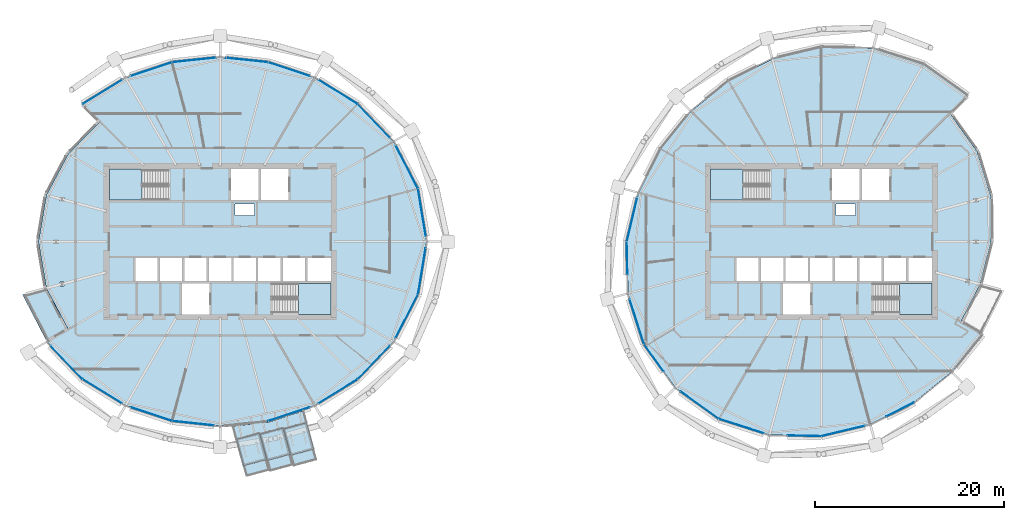
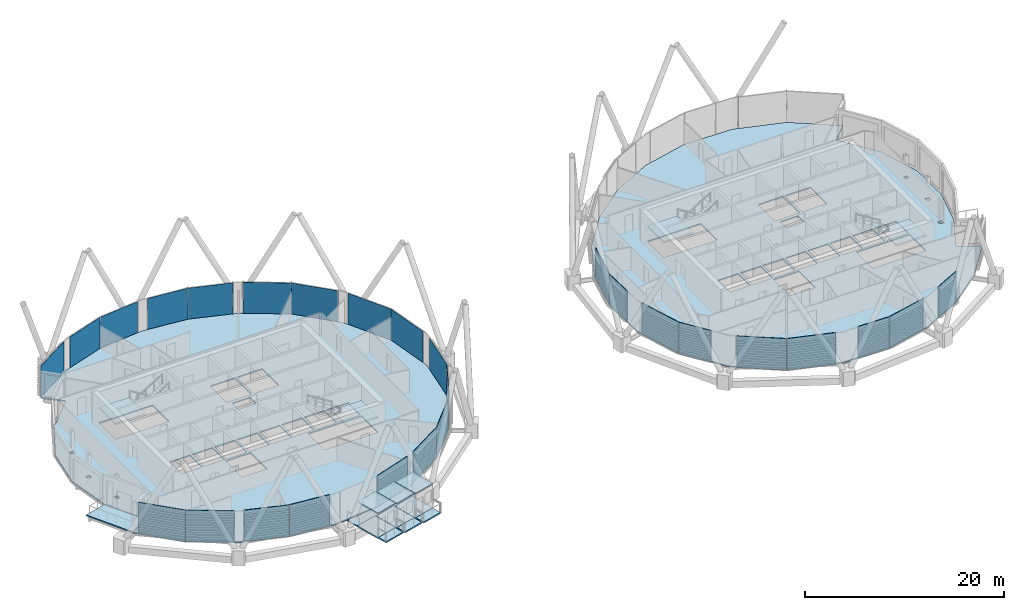
# One storey, part 20 of 35: 27 plates, 17 slabs, 6 elements without a shape of their own.
"""IFC4 building model written with IfcOpenShell, lengths in metres."""

from ifc_helpers import new_model, si_unit, direction, frame, origin, origin_2d, place, context, subcontext, project, spatial, polyline, rectangle, outline, extrude, material, layer, layer_set, type_object, element, aggregate, save


model = new_model("IFC4")

# Units and contexts
model_context = context("Model", 3, precision=1e-05, world=origin(), true_north=direction((0.0, 1.0)))
body_context = subcontext(model_context, "Body", "Model", "MODEL_VIEW")
ifc_project = project(units=[si_unit("LENGTHUNIT", "METRE"), si_unit("AREAUNIT", "SQUARE_METRE"), si_unit("VOLUMEUNIT", "CUBIC_METRE"), si_unit("PLANEANGLEUNIT", "RADIAN"), si_unit("MASSUNIT", "GRAM", prefix="KILO")], contexts=[model_context])

# Site, building, storey
site_placement = place(None, origin())
site = spatial("IfcSite", under=ifc_project, at=site_placement, CompositionType="ELEMENT")
building_placement = place(site_placement, origin())
building = spatial("IfcBuilding", under=site, at=building_placement, Name="Rimbun Link Towers", CompositionType="ELEMENT")
storey_placement = place(building_placement, frame((0.0, 0.0, 181.699951171875)))
storey = spatial("IfcBuildingStorey", under=building, at=storey_placement, Name="L44", CompositionType="ELEMENT", Elevation=181.699951171875)

# Slabs
ifc_material_1 = material(Name="Insulated metal floor panel on steel frame", Category="steel")
ifc_layer_1 = layer(ifc_material_1, 0.159912109375)
ifc_layer_set_1 = layer_set([ifc_layer_1], Name="CAPSULE balcony panel 160")
slab_type_1 = type_object("IfcSlabType", Name="CAPSULE balcony panel 160", PredefinedType="FLOOR", material=ifc_layer_set_1)
slab_1_placement = place(storey_placement, frame((0.0, 0.0, -0.159912109375)))
element("IfcSlab", 1, at=slab_1_placement, inside=storey, type_object=slab_type_1, Name="CAPSULE D441.01 balcony floor", PredefinedType="FLOOR", context=body_context, shape_type="SweptSolid", body=[
    extrude(outline(polyline([(-23.945068359375, -23.62255859375), (-21.62890625, -22.994140625), (-21.9169921875, -21.9326171875), (-24.233154296875, -22.56103515625), (-23.945068359375, -23.62255859375)])), origin(), (0.0, 0.0, 1.0), 0.159912109375),
])
slab_2_placement = place(storey_placement, frame((0.0, 0.0, -0.159912109375)))
element("IfcSlab", 2, at=slab_2_placement, inside=storey, type_object=slab_type_1, Name="CAPSULE D441.02 balcony floor", PredefinedType="FLOOR", context=body_context, shape_type="SweptSolid", body=[
    extrude(outline(polyline([(-26.4345703125, -24.1748046875), (-24.118408203125, -23.54638671875), (-24.406494140625, -22.48486328125), (-26.72265625, -23.11328125), (-26.4345703125, -24.1748046875)])), origin(), (0.0, 0.0, 1.0), 0.159912109375),
])
slab_3_placement = place(storey_placement, frame((0.0, 0.0, -0.159912109375)))
element("IfcSlab", 3, at=slab_3_placement, inside=storey, type_object=slab_type_1, Name="CAPSULE D441.03 balcony floor", PredefinedType="FLOOR", context=body_context, shape_type="SweptSolid", body=[
    extrude(outline(polyline([(-28.924072265625, -24.72705078125), (-26.60791015625, -24.0986328125), (-26.89599609375, -23.036865234375), (-29.212158203125, -23.665283203125), (-28.924072265625, -24.72705078125)])), origin(), (0.0, 0.0, 1.0), 0.159912109375),
])
slab_4_placement = place(storey_placement, frame((0.0, 0.0, -0.159912109375)))
element("IfcSlab", 4, at=slab_4_placement, inside=storey, type_object=slab_type_1, Name="CAPSULE D441 gallery floor", PredefinedType="FLOOR", context=body_context, shape_type="SweptSolid", body=[
    extrude(outline(polyline([(-27.073974609375, -19.12353515625), (-27.079345703125, -19.07373046875), (-28.51123046875, -19.224609375), (-28.506103515625, -19.2744140625), (-30.401123046875, -19.473876953125), (-29.95751953125, -21.109130859375), (-30.019775390625, -20.879638671875), (-27.60693359375, -20.22509765625), (-27.544677734375, -20.45458984375), (-27.4990234375, -20.4423828125), (-27.5302734375, -20.327392578125), (-25.117431640625, -19.6728515625), (-25.08642578125, -19.78759765625), (-22.6279296875, -19.12060546875), (-22.969970703125, -17.8603515625), (-26.645751953125, -19.078369140625), (-27.073974609375, -19.12353515625)])), origin(), (0.0, 0.0, 1.0), 0.159912109375),
])
ifc_material_2 = material(Name="Insulated metal floor panel on steel frame", Category="steel")
ifc_layer_2 = layer(ifc_material_2, 0.159912109375)
ifc_layer_set_2 = layer_set([ifc_layer_2], Name="CAPSULE floor panel 160")
slab_type_2 = type_object("IfcSlabType", Name="CAPSULE floor panel 160", PredefinedType="FLOOR", material=ifc_layer_set_2)
slab_5_placement = place(storey_placement, frame((0.0, 0.0, -0.159912109375)))
element("IfcSlab", 5, at=slab_5_placement, inside=storey, type_object=slab_type_2, Name="CAPSULE D441.01 floor panel", PredefinedType="FLOOR", context=body_context, shape_type="SweptSolid", body=[
    extrude(outline(polyline([(-24.281494140625, -22.57421875), (-21.86865234375, -21.91943359375), (-22.6279296875, -19.12060546875), (-25.040771484375, -19.775390625), (-24.281494140625, -22.57421875)])), origin(), (0.0, 0.0, 1.0), 0.159912109375),
])
slab_6_placement = place(storey_placement, frame((0.0, 0.0, -0.159912109375)))
element("IfcSlab", 6, at=slab_6_placement, inside=storey, type_object=slab_type_2, Name="CAPSULE D441.02 floor panel", PredefinedType="FLOOR", context=body_context, shape_type="SweptSolid", body=[
    extrude(outline(polyline([(-26.77099609375, -23.126220703125), (-24.358154296875, -22.4716796875), (-25.117431640625, -19.6728515625), (-27.5302734375, -20.327392578125), (-26.77099609375, -23.126220703125)])), origin(), (0.0, 0.0, 1.0), 0.159912109375),
])
slab_7_placement = place(storey_placement, frame((0.0, 0.0, -0.159912109375)))
element("IfcSlab", 7, at=slab_7_placement, inside=storey, type_object=slab_type_2, Name="CAPSULE D441.03 floor panel", PredefinedType="FLOOR", context=body_context, shape_type="SweptSolid", body=[
    extrude(outline(polyline([(-29.260498046875, -23.678466796875), (-26.84765625, -23.023681640625), (-27.60693359375, -20.22509765625), (-30.019775390625, -20.879638671875), (-29.260498046875, -23.678466796875)])), origin(), (0.0, 0.0, 1.0), 0.159912109375),
])
ifc_material_3 = material(Name="Insulated metal roof panel with terracotta fascia", Category="masonry")
ifc_layer_3 = layer(ifc_material_3, 0.14990234375)
ifc_layer_set_3 = layer_set([ifc_layer_3], Name="CAPSULE roof panel 150")
slab_type_3 = type_object("IfcSlabType", Name="CAPSULE roof panel 150", PredefinedType="ROOF", material=ifc_layer_set_3)
slab_8_placement = place(storey_placement, frame((0.0, 0.0, 2.85009765625)))
element("IfcSlab", 8, at=slab_8_placement, inside=storey, type_object=slab_type_3, Name="CAPSULE D441.01 roof panel", PredefinedType="ROOF", context=body_context, shape_type="SweptSolid", body=[
    extrude(outline(polyline([(-24.281494140625, -22.57421875), (-21.86865234375, -21.91943359375), (-22.6279296875, -19.12060546875), (-25.040771484375, -19.775390625), (-24.281494140625, -22.57421875)])), origin(), (0.0, 0.0, 1.0), 0.14990234375),
])
slab_9_placement = place(storey_placement, frame((0.0, 0.0, 2.85009765625)))
element("IfcSlab", 9, at=slab_9_placement, inside=storey, type_object=slab_type_3, Name="CAPSULE D441.02 roof panel", PredefinedType="ROOF", context=body_context, shape_type="SweptSolid", body=[
    extrude(outline(polyline([(-26.77099609375, -23.126220703125), (-24.358154296875, -22.4716796875), (-25.117431640625, -19.6728515625), (-27.5302734375, -20.327392578125), (-26.77099609375, -23.126220703125)])), origin(), (0.0, 0.0, 1.0), 0.14990234375),
])
slab_10_placement = place(storey_placement, frame((0.0, 0.0, 2.85009765625)))
element("IfcSlab", 10, at=slab_10_placement, inside=storey, type_object=slab_type_3, Name="CAPSULE D441.03 roof panel", PredefinedType="ROOF", context=body_context, shape_type="SweptSolid", body=[
    extrude(outline(polyline([(-29.260498046875, -23.678466796875), (-26.84765625, -23.023681640625), (-27.60693359375, -20.22509765625), (-30.019775390625, -20.879638671875), (-29.260498046875, -23.678466796875)])), origin(), (0.0, 0.0, 1.0), 0.14990234375),
])
ifc_material_4 = material(Name="Concrete C35/45", Category="concrete")
ifc_layer_4 = layer(ifc_material_4, 0.14990234375)
ifc_layer_set_4 = layer_set([ifc_layer_4], Name="COMPOSITE FLOOR 150")
slab_type_4 = type_object("IfcSlabType", Name="COMPOSITE FLOOR 150", PredefinedType="FLOOR", material=ifc_layer_set_4)
slab_11_placement = place(storey_placement, frame((0.0, 0.0, -0.14990234375)))
element("IfcSlab", 11, at=slab_11_placement, inside=storey, type_object=slab_type_4, Name="Floor slab T1 L44", PredefinedType="FLOOR", context=body_context, shape_type="SweptSolid", body=[
    extrude(outline(polyline([(-41.739013671875, 17.301513671875), (-36.822509765625, 18.930908203125), (-31.75, 19.465087890625), (-26.677490234375, 18.930908203125), (-21.760986328125, 17.301513671875), (-17.230224609375, 14.519775390625), (-13.443115234375, 10.569580078125), (-10.868896484375, 5.594970703125), (-9.948974609375, 0.0), (-10.868896484375, -5.594970703125), (-13.443115234375, -10.569580078125), (-17.230224609375, -14.519775390625), (-21.760986328125, -17.301513671875), (-26.677490234375, -18.930908203125), (-31.75, -19.465087890625), (-36.822509765625, -18.930908203125), (-41.739013671875, -17.301513671875), (-46.269775390625, -14.519775390625), (-50.056884765625, -10.569580078125), (-47.805419921875, -9.26953125), (-50.11962890625, -4.922119140625), (-50.950927734375, 0.0), (-50.11962890625, 4.922119140625), (-47.805419921875, 9.26953125), (-44.431396484375, 12.681396484375), (-46.269775390625, 14.519775390625), (-41.739013671875, 17.301513671875)]), holes=[polyline([(-32.89990234375, -7.699951171875), (-32.89990234375, -4.39990234375), (-35.800048828125, -4.39990234375), (-35.800048828125, -7.699951171875), (-32.89990234375, -7.699951171875)]), polyline([(-48.250732421875, -4.671630859375), (-48.250732421875, -4.278076171875), (-48.64990234375, -4.278076171875), (-48.64990234375, -4.671630859375), (-48.250732421875, -4.671630859375)]), polyline([(-38.361083984375, -4.14990234375), (-38.361083984375, -1.75), (-40.70556640625, -1.75), (-40.70556640625, -4.14990234375), (-38.361083984375, -4.14990234375)]), polyline([(-35.7666015625, -4.14990234375), (-35.7666015625, -1.75), (-38.111083984375, -1.75), (-38.111083984375, -4.14990234375), (-35.7666015625, -4.14990234375)]), polyline([(-33.172119140625, -4.14990234375), (-33.172119140625, -1.75), (-35.5166015625, -1.75), (-35.5166015625, -4.14990234375), (-33.172119140625, -4.14990234375)]), polyline([(-30.577880859375, -4.14990234375), (-30.577880859375, -1.75), (-32.922119140625, -1.75), (-32.922119140625, -4.14990234375), (-30.577880859375, -4.14990234375)]), polyline([(-48.896728515625, -0.19677734375), (-48.896728515625, 0.19677734375), (-49.295654296875, 0.19677734375), (-49.295654296875, -0.19677734375), (-48.896728515625, -0.19677734375)]), polyline([(-48.250732421875, 4.278076171875), (-48.250732421875, 4.671630859375), (-48.64990234375, 4.671630859375), (-48.64990234375, 4.278076171875), (-48.250732421875, 4.278076171875)]), polyline([(-37.260009765625, 4.39990234375), (-37.260009765625, 7.699951171875), (-43.449951171875, 7.699951171875), (-43.449951171875, 4.39990234375), (-37.260009765625, 4.39990234375)]), polyline([(-20.050048828125, -7.699951171875), (-20.050048828125, -4.39990234375), (-26.239990234375, -4.39990234375), (-26.239990234375, -7.699951171875), (-20.050048828125, -7.699951171875)]), polyline([(-27.9833984375, -4.14990234375), (-27.9833984375, -1.75), (-30.327880859375, -1.75), (-30.327880859375, -4.14990234375), (-27.9833984375, -4.14990234375)]), polyline([(-25.388916015625, -4.14990234375), (-25.388916015625, -1.75), (-27.7333984375, -1.75), (-27.7333984375, -4.14990234375), (-25.388916015625, -4.14990234375)]), polyline([(-22.79443359375, -4.14990234375), (-22.79443359375, -1.75), (-25.138916015625, -1.75), (-25.138916015625, -4.14990234375), (-22.79443359375, -4.14990234375)]), polyline([(-20.050048828125, -4.14990234375), (-20.050048828125, -1.75), (-22.54443359375, -1.75), (-22.54443359375, -4.14990234375), (-20.050048828125, -4.14990234375)]), polyline([(-30.177734375, 2.75), (-28.13330078125, 2.75), (-28.13330078125, 4.0), (-30.177734375, 4.0), (-30.177734375, 2.75)]), polyline([(-30.60009765625, 4.39990234375), (-27.699951171875, 4.39990234375), (-27.699951171875, 7.699951171875), (-30.60009765625, 7.699951171875), (-30.60009765625, 4.39990234375)]), polyline([(-27.449951171875, 4.39990234375), (-24.550048828125, 4.39990234375), (-24.550048828125, 7.699951171875), (-27.449951171875, 7.699951171875), (-27.449951171875, 4.39990234375)])]), origin(), (0.0, 0.0, 1.0), 0.14990234375),
])
slab_12_placement = place(storey_placement, frame((0.0, 0.0, -0.14990234375)))
element("IfcSlab", 12, at=slab_12_placement, inside=storey, type_object=slab_type_4, Name="Floor slab T2 L44", PredefinedType="FLOOR", context=body_context, shape_type="SweptSolid", body=[
    extrude(outline(polyline([(45.513916015625, -13.763916015625), (41.54931640625, -16.972900390625), (36.920654296875, -19.297607421875), (31.75, -20.5341796875), (26.27880859375, -20.418701171875), (20.941162109375, -18.721435546875), (16.33447265625, -15.41552734375), (13.028564453125, -10.808837890625), (11.331298828125, -5.47119140625), (11.2158203125, 0.0), (12.452392578125, 5.170654296875), (14.777099609375, 9.79931640625), (17.986083984375, 13.763916015625), (21.95068359375, 16.972900390625), (26.579345703125, 19.297607421875), (31.75, 20.5341796875), (37.22119140625, 20.418701171875), (42.558837890625, 18.721435546875), (47.16552734375, 15.41552734375), (45.3271484375, 13.5771484375), (48.2197265625, 9.5087890625), (49.657470703125, 4.79833984375), (49.68408203125, 0.0), (48.5361328125, -4.497802734375), (46.471435546875, -8.49951171875), (48.722900390625, -9.79931640625), (45.513916015625, -13.763916015625)]), holes=[polyline([(30.60009765625, -7.699951171875), (30.60009765625, -4.39990234375), (27.699951171875, -4.39990234375), (27.699951171875, -7.699951171875), (30.60009765625, -7.699951171875)]), polyline([(25.138916015625, -4.14990234375), (25.138916015625, -1.75), (22.79443359375, -1.75), (22.79443359375, -4.14990234375), (25.138916015625, -4.14990234375)]), polyline([(27.7333984375, -4.14990234375), (27.7333984375, -1.75), (25.388916015625, -1.75), (25.388916015625, -4.14990234375), (27.7333984375, -4.14990234375)]), polyline([(30.327880859375, -4.14990234375), (30.327880859375, -1.75), (27.9833984375, -1.75), (27.9833984375, -4.14990234375), (30.327880859375, -4.14990234375)]), polyline([(32.922119140625, -4.14990234375), (32.922119140625, -1.75), (30.577880859375, -1.75), (30.577880859375, -4.14990234375), (32.922119140625, -4.14990234375)]), polyline([(35.5166015625, -4.14990234375), (35.5166015625, -1.75), (33.172119140625, -1.75), (33.172119140625, -4.14990234375), (35.5166015625, -4.14990234375)]), polyline([(33.322265625, 2.75), (35.36669921875, 2.75), (35.36669921875, 4.0), (33.322265625, 4.0), (33.322265625, 2.75)]), polyline([(26.239990234375, 4.39990234375), (26.239990234375, 7.699951171875), (20.050048828125, 7.699951171875), (20.050048828125, 4.39990234375), (26.239990234375, 4.39990234375)]), polyline([(35.800048828125, 4.39990234375), (35.800048828125, 7.699951171875), (32.89990234375, 7.699951171875), (32.89990234375, 4.39990234375), (35.800048828125, 4.39990234375)]), polyline([(43.449951171875, -7.699951171875), (43.449951171875, -4.39990234375), (37.260009765625, -4.39990234375), (37.260009765625, -7.699951171875), (43.449951171875, -7.699951171875)]), polyline([(47.38330078125, -4.332275390625), (47.38330078125, -3.938720703125), (46.984375, -3.938720703125), (46.984375, -4.332275390625), (47.38330078125, -4.332275390625)]), polyline([(38.111083984375, -4.14990234375), (38.111083984375, -1.75), (35.7666015625, -1.75), (35.7666015625, -4.14990234375), (38.111083984375, -4.14990234375)]), polyline([(40.70556640625, -4.14990234375), (40.70556640625, -1.75), (38.361083984375, -1.75), (38.361083984375, -4.14990234375), (40.70556640625, -4.14990234375)]), polyline([(43.449951171875, -4.14990234375), (43.449951171875, -1.75), (40.95556640625, -1.75), (40.95556640625, -4.14990234375), (43.449951171875, -4.14990234375)]), polyline([(48.278076171875, -0.19677734375), (48.278076171875, 0.19677734375), (47.879150390625, 0.19677734375), (47.879150390625, -0.19677734375), (48.278076171875, -0.19677734375)]), polyline([(47.87939453125, 4.178466796875), (48.2783203125, 4.178466796875), (48.2783203125, 4.572021484375), (47.87939453125, 4.572021484375), (47.87939453125, 4.178466796875)]), polyline([(36.050048828125, 4.39990234375), (38.949951171875, 4.39990234375), (38.949951171875, 7.699951171875), (36.050048828125, 7.699951171875), (36.050048828125, 4.39990234375)])]), origin(), (0.0, 0.0, 1.0), 0.14990234375),
])

# Curtain wall, plates
ifc_material_5 = material(Name="Aluminium 6063-T6 and low-iron glass", Category="aluminium")
curtain_wall_type = type_object("IfcCurtainWallType", Name="CW1-Z3 unitised vision wall (zone 3)", PredefinedType="NOTDEFINED", material=ifc_material_5)
curtain_wall_1_placement = place(storey_placement, origin())
curtain_wall_1 = element("IfcCurtainWall", 13, at=curtain_wall_1_placement, inside=storey, type_object=curtain_wall_type, Name="CW1 L44 T1", PredefinedType="NOTDEFINED")
ifc_material_6 = material(Name="Low-iron glass, laminated low-e unit", Category="glass")
ifc_layer_5 = layer(ifc_material_6, 0.028076171875)
ifc_layer_set_5 = layer_set([ifc_layer_5], Name="CW1 panel Low-iron glass 28")
plate_type = type_object("IfcPlateType", Name="CW1 panel Low-iron glass 28", PredefinedType="CURTAIN_PANEL", material=ifc_layer_set_5)
plate_1_placement = place(storey_placement, frame((-10.439697265625, 3.071044921875, 0.0), z_axis=(0.0, 0.0, 1.0), x_axis=(0.162253647337, -0.98674908357, 0.0)))
plate_1 = element("IfcPlate", 14, at=plate_1_placement, type_object=plate_type, Name="CW1 panel", PredefinedType="CURTAIN_PANEL", context=body_context, shape_type="SweptSolid", body=[
    extrude(rectangle(XDim=5.080078125, YDim=0.028076171875, at=origin_2d()), origin(), (0.0, 0.0, 1.0), 3.800048828125),
])
plate_2_placement = place(storey_placement, frame((-12.040283203125, 7.888916015625, 0.0), z_axis=(0.0, 0.0, 1.0), x_axis=(0.459554053094, -0.88814980284, 0.0)))
plate_2 = element("IfcPlate", 15, at=plate_2_placement, type_object=plate_type, Name="CW1 panel", PredefinedType="CURTAIN_PANEL", context=body_context, shape_type="SweptSolid", body=[
    extrude(rectangle(XDim=5.111083984375, YDim=0.028076171875, at=origin_2d()), origin(), (0.0, 0.0, 1.0), 3.800048828125),
])
plate_3_placement = place(storey_placement, frame((-15.516845703125, 12.7529296875, 0.0), z_axis=(0.0, 0.0, 1.0), x_axis=(0.692056960795, -0.721842893583, 0.0)))
plate_3 = element("IfcPlate", 16, at=plate_3_placement, type_object=plate_type, Name="CW1 panel", PredefinedType="CURTAIN_PANEL", context=body_context, shape_type="SweptSolid", body=[
    extrude(rectangle(XDim=4.88232421875, YDim=0.028076171875, at=origin_2d()), origin(), (0.0, 0.0, 1.0), 3.800048828125),
])
plate_4_placement = place(storey_placement, frame((-19.29638671875, 15.804931640625, 0.0), z_axis=(0.0, 0.0, 1.0), x_axis=(0.852188735381, -0.523234516531, 0.0)))
plate_4 = element("IfcPlate", 17, at=plate_4_placement, type_object=plate_type, Name="CW1 panel", PredefinedType="CURTAIN_PANEL", context=body_context, shape_type="SweptSolid", body=[
    extrude(rectangle(XDim=4.82666015625, YDim=0.028076171875, at=origin_2d()), origin(), (0.0, 0.0, 1.0), 3.800048828125),
])
plate_5_placement = place(storey_placement, frame((-24.475830078125, 18.216064453125, 0.0), z_axis=(0.0, 0.0, 1.0), x_axis=(0.949235945561, -0.314564968894, 0.0)))
plate_5 = element("IfcPlate", 18, at=plate_5_placement, type_object=plate_type, Name="CW1 panel", PredefinedType="CURTAIN_PANEL", context=body_context, shape_type="SweptSolid", body=[
    extrude(rectangle(XDim=4.589599609375, YDim=0.028076171875, at=origin_2d()), origin(), (0.0, 0.0, 1.0), 3.800048828125),
])
plate_6_placement = place(storey_placement, frame((-28.88916015625, 19.177978515625, 0.0), z_axis=(0.0, 0.0, 1.0), x_axis=(0.994498252868, -0.104753162451, 0.0)))
plate_6 = element("IfcPlate", 19, at=plate_6_placement, type_object=plate_type, Name="CW1 panel", PredefinedType="CURTAIN_PANEL", context=body_context, shape_type="SweptSolid", body=[
    extrude(rectangle(XDim=4.41064453125, YDim=0.028076171875, at=origin_2d()), origin(), (0.0, 0.0, 1.0), 3.800048828125),
])
plate_7_placement = place(storey_placement, frame((-34.511474609375, 19.1884765625, 0.0), z_axis=(0.0, 0.0, 1.0), x_axis=(0.994498252868, 0.104753162451, 0.0)))
plate_7 = element("IfcPlate", 20, at=plate_7_placement, type_object=plate_type, Name="CW1 panel", PredefinedType="CURTAIN_PANEL", context=body_context, shape_type="SweptSolid", body=[
    extrude(rectangle(XDim=4.610595703125, YDim=0.028076171875, at=origin_2d()), origin(), (0.0, 0.0, 1.0), 3.800048828125),
])
plate_8_placement = place(storey_placement, frame((-39.024169921875, 18.216064453125, 0.0), z_axis=(0.0, 0.0, 1.0), x_axis=(0.949235945561, 0.314564968894, 0.0)))
plate_8 = element("IfcPlate", 21, at=plate_8_placement, type_object=plate_type, Name="CW1 panel", PredefinedType="CURTAIN_PANEL", context=body_context, shape_type="SweptSolid", body=[
    extrude(rectangle(XDim=4.589599609375, YDim=0.028076171875, at=origin_2d()), origin(), (0.0, 0.0, 1.0), 3.800048828125),
])
plate_9_placement = place(storey_placement, frame((-44.18212890625, 15.81787109375, 0.0), z_axis=(0.0, 0.0, 1.0), x_axis=(0.852188735381, 0.523234516531, 0.0)))
plate_9 = element("IfcPlate", 22, at=plate_9_placement, type_object=plate_type, Name="CW1 panel", PredefinedType="CURTAIN_PANEL", context=body_context, shape_type="SweptSolid", body=[
    extrude(rectangle(XDim=4.87646484375, YDim=0.028076171875, at=origin_2d()), origin(), (0.0, 0.0, 1.0), 3.800048828125),
])
plate_10_placement = place(storey_placement, frame((-47.983154296875, -12.7529296875, 0.0), z_axis=(0.0, 0.0, 1.0), x_axis=(-0.692056960795, 0.721842893583, 0.0)))
plate_10 = element("IfcPlate", 23, at=plate_10_placement, type_object=plate_type, Name="CW1 panel", PredefinedType="CURTAIN_PANEL", context=body_context, shape_type="SweptSolid", body=[
    extrude(rectangle(XDim=4.88232421875, YDim=0.028076171875, at=origin_2d()), origin(), (0.0, 0.0, 1.0), 3.800048828125),
])
plate_11_placement = place(storey_placement, frame((-44.20361328125, -15.804931640625, 0.0), z_axis=(0.0, 0.0, 1.0), x_axis=(-0.852188735381, 0.523234516531, 0.0)))
plate_11 = element("IfcPlate", 24, at=plate_11_placement, type_object=plate_type, Name="CW1 panel", PredefinedType="CURTAIN_PANEL", context=body_context, shape_type="SweptSolid", body=[
    extrude(rectangle(XDim=4.82666015625, YDim=0.028076171875, at=origin_2d()), origin(), (0.0, 0.0, 1.0), 3.800048828125),
])
plate_12_placement = place(storey_placement, frame((-39.024169921875, -18.216064453125, 0.0), z_axis=(0.0, 0.0, 1.0), x_axis=(-0.949235945561, 0.314564968894, 0.0)))
plate_12 = element("IfcPlate", 25, at=plate_12_placement, type_object=plate_type, Name="CW1 panel", PredefinedType="CURTAIN_PANEL", context=body_context, shape_type="SweptSolid", body=[
    extrude(rectangle(XDim=4.589599609375, YDim=0.028076171875, at=origin_2d()), origin(), (0.0, 0.0, 1.0), 3.800048828125),
])
plate_13_placement = place(storey_placement, frame((-34.61083984375, -19.177978515625, 0.0), z_axis=(0.0, 0.0, 1.0), x_axis=(-0.994498252868, 0.104753162451, 0.0)))
plate_13 = element("IfcPlate", 26, at=plate_13_placement, type_object=plate_type, Name="CW1 panel", PredefinedType="CURTAIN_PANEL", context=body_context, shape_type="SweptSolid", body=[
    extrude(rectangle(XDim=4.41064453125, YDim=0.028076171875, at=origin_2d()), origin(), (0.0, 0.0, 1.0), 3.800048828125),
])
plate_14_placement = place(storey_placement, frame((-24.475830078125, -18.216064453125, 0.0), z_axis=(0.0, 0.0, 1.0), x_axis=(-0.949235945561, -0.314564968894, 0.0)))
plate_14 = element("IfcPlate", 27, at=plate_14_placement, type_object=plate_type, Name="CW1 panel", PredefinedType="CURTAIN_PANEL", context=body_context, shape_type="SweptSolid", body=[
    extrude(rectangle(XDim=4.589599609375, YDim=0.028076171875, at=origin_2d()), origin(), (0.0, 0.0, 1.0), 3.800048828125),
])
plate_15_placement = place(storey_placement, frame((-19.29638671875, -15.804931640625, 0.0), z_axis=(0.0, 0.0, 1.0), x_axis=(-0.852188735381, -0.523234516531, 0.0)))
plate_15 = element("IfcPlate", 28, at=plate_15_placement, type_object=plate_type, Name="CW1 panel", PredefinedType="CURTAIN_PANEL", context=body_context, shape_type="SweptSolid", body=[
    extrude(rectangle(XDim=4.82666015625, YDim=0.028076171875, at=origin_2d()), origin(), (0.0, 0.0, 1.0), 3.800048828125),
])
plate_16_placement = place(storey_placement, frame((-15.516845703125, -12.7529296875, 0.0), z_axis=(0.0, 0.0, 1.0), x_axis=(-0.692056960795, -0.721842893583, 0.0)))
plate_16 = element("IfcPlate", 29, at=plate_16_placement, type_object=plate_type, Name="CW1 panel", PredefinedType="CURTAIN_PANEL", context=body_context, shape_type="SweptSolid", body=[
    extrude(rectangle(XDim=4.88232421875, YDim=0.028076171875, at=origin_2d()), origin(), (0.0, 0.0, 1.0), 3.800048828125),
])
plate_17_placement = place(storey_placement, frame((-12.040283203125, -7.888916015625, 0.0), z_axis=(0.0, 0.0, 1.0), x_axis=(-0.459554053094, -0.88814980284, 0.0)))
plate_17 = element("IfcPlate", 30, at=plate_17_placement, type_object=plate_type, Name="CW1 panel", PredefinedType="CURTAIN_PANEL", context=body_context, shape_type="SweptSolid", body=[
    extrude(rectangle(XDim=5.111083984375, YDim=0.028076171875, at=origin_2d()), origin(), (0.0, 0.0, 1.0), 3.800048828125),
])
plate_18_placement = place(storey_placement, frame((-10.451904296875, -3.14501953125, 0.0), z_axis=(0.0, 0.0, 1.0), x_axis=(-0.162253647337, -0.98674908357, 0.0)))
plate_18 = element("IfcPlate", 31, at=plate_18_placement, type_object=plate_type, Name="CW1 panel", PredefinedType="CURTAIN_PANEL", context=body_context, shape_type="SweptSolid", body=[
    extrude(rectangle(XDim=4.93017578125, YDim=0.028076171875, at=origin_2d()), origin(), (0.0, 0.0, 1.0), 3.800048828125),
])
aggregate(curtain_wall_1, [plate_1, plate_2, plate_3, plate_4, plate_5, plate_6, plate_7, plate_8, plate_9, plate_10, plate_11, plate_12, plate_13, plate_14, plate_15, plate_16, plate_17, plate_18])

curtain_wall_2_placement = place(storey_placement, origin())
curtain_wall_2 = element("IfcCurtainWall", 32, at=curtain_wall_2_placement, inside=storey, type_object=curtain_wall_type, Name="CW1 L44 T2", PredefinedType="NOTDEFINED")
plate_19_placement = place(storey_placement, frame((11.756591796875, 2.321044921875, 0.0), z_axis=(0.0, 0.0, 1.0), x_axis=(0.232596033225, 0.972573434414, 0.0)))
plate_19 = element("IfcPlate", 33, at=plate_19_placement, type_object=plate_type, Name="CW1 panel", PredefinedType="CURTAIN_PANEL", context=body_context, shape_type="SweptSolid", body=[
    extrude(rectangle(XDim=4.7265625, YDim=0.028076171875, at=origin_2d()), origin(), (0.0, 0.0, 1.0), 3.800048828125),
])
plate_20_placement = place(storey_placement, frame((11.239013671875, -1.76123046875, 0.0), z_axis=(0.0, 0.0, 1.0), x_axis=(-0.02106930936, 0.999778017463, 0.0)))
plate_20 = element("IfcPlate", 34, at=plate_20_placement, type_object=plate_type, Name="CW1 panel", PredefinedType="CURTAIN_PANEL", context=body_context, shape_type="SweptSolid", body=[
    extrude(rectangle(XDim=3.482421875, YDim=0.028076171875, at=origin_2d()), origin(), (0.0, 0.0, 1.0), 3.800048828125),
])
plate_21_placement = place(storey_placement, frame((12.257568359375, -8.43017578125, 0.0), z_axis=(0.0, 0.0, 1.0), x_axis=(-0.303053318374, 0.95297360206, 0.0)))
plate_21 = element("IfcPlate", 35, at=plate_21_placement, type_object=plate_type, Name="CW1 panel", PredefinedType="CURTAIN_PANEL", context=body_context, shape_type="SweptSolid", body=[
    extrude(rectangle(XDim=4.9609375, YDim=0.028076171875, at=origin_2d()), origin(), (0.0, 0.0, 1.0), 3.800048828125),
])
plate_22_placement = place(storey_placement, frame((14.057861328125, -12.267333984375, 0.0), z_axis=(0.0, 0.0, 1.0), x_axis=(-0.583015194879, 0.81246124987, 0.0)))
plate_22 = element("IfcPlate", 36, at=plate_22_placement, type_object=plate_type, Name="CW1 panel", PredefinedType="CURTAIN_PANEL", context=body_context, shape_type="SweptSolid", body=[
    extrude(rectangle(XDim=3.5302734375, YDim=0.028076171875, at=origin_2d()), origin(), (0.0, 0.0, 1.0), 3.800048828125),
])
plate_23_placement = place(storey_placement, frame((18.893798828125, -17.269287109375, 0.0), z_axis=(0.0, 0.0, 1.0), x_axis=(-0.81246124987, 0.583015194879, 0.0)))
plate_23 = element("IfcPlate", 37, at=plate_23_placement, type_object=plate_type, Name="CW1 panel", PredefinedType="CURTAIN_PANEL", context=body_context, shape_type="SweptSolid", body=[
    extrude(rectangle(XDim=4.980224609375, YDim=0.028076171875, at=origin_2d()), origin(), (0.0, 0.0, 1.0), 3.800048828125),
])
plate_24_placement = place(storey_placement, frame((23.31982421875, -19.492431640625, 0.0), z_axis=(0.0, 0.0, 1.0), x_axis=(-0.95297360206, 0.303053318374, 0.0)))
plate_24 = element("IfcPlate", 38, at=plate_24_placement, type_object=plate_type, Name="CW1 panel", PredefinedType="CURTAIN_PANEL", context=body_context, shape_type="SweptSolid", body=[
    extrude(rectangle(XDim=4.9609375, YDim=0.028076171875, at=origin_2d()), origin(), (0.0, 0.0, 1.0), 3.800048828125),
])
plate_25_placement = place(storey_placement, frame((29.9638671875, -20.510498046875, 0.0), z_axis=(0.0, 0.0, 1.0), x_axis=(-0.999778017463, 0.02106930936, 0.0)))
plate_25 = element("IfcPlate", 39, at=plate_25_placement, type_object=plate_type, Name="CW1 panel", PredefinedType="CURTAIN_PANEL", context=body_context, shape_type="SweptSolid", body=[
    extrude(rectangle(XDim=3.532470703125, YDim=0.028076171875, at=origin_2d()), origin(), (0.0, 0.0, 1.0), 3.800048828125),
])
plate_26_placement = place(storey_placement, frame((34.046875, -19.999267578125, 0.0), z_axis=(0.0, 0.0, 1.0), x_axis=(-0.972573434414, -0.232596033225, 0.0)))
plate_26 = element("IfcPlate", 40, at=plate_26_placement, type_object=plate_type, Name="CW1 panel", PredefinedType="CURTAIN_PANEL", context=body_context, shape_type="SweptSolid", body=[
    extrude(rectangle(XDim=4.676513671875, YDim=0.028076171875, at=origin_2d()), origin(), (0.0, 0.0, 1.0), 3.800048828125),
])
plate_27_placement = place(storey_placement, frame((40.06787109375, -17.732666015625, 0.0), z_axis=(0.0, 0.0, 1.0), x_axis=(-0.893641971467, -0.448780599884, 0.0)))
plate_27 = element("IfcPlate", 41, at=plate_27_placement, type_object=plate_type, Name="CW1 panel", PredefinedType="CURTAIN_PANEL", context=body_context, shape_type="SweptSolid", body=[
    extrude(rectangle(XDim=3.28955078125, YDim=0.028076171875, at=origin_2d()), origin(), (0.0, 0.0, 1.0), 3.800048828125),
])
aggregate(curtain_wall_2, [plate_19, plate_20, plate_21, plate_22, plate_23, plate_24, plate_25, plate_26, plate_27])

# Stair, slab
ifc_material_7 = material(Name="Concrete C40/50", Category="concrete")
stair_type = type_object("IfcStairType", Name="Exit stair 3800 rise", PredefinedType="HALF_TURN_STAIR", material=ifc_material_7)
stair_1_placement = place(storey_placement, origin())
stair_1 = element("IfcStair", 42, at=stair_1_placement, inside=storey, type_object=stair_type, Name="L44 EXIT STAIR A", PredefinedType="HALF_TURN_STAIR")
ifc_material_8 = material(Name="Concrete C40/50", Category="concrete")
ifc_layer_6 = layer(ifc_material_8, 0.199951171875)
ifc_layer_set_6 = layer_set([ifc_layer_6], Name="Stair landing")
slab_type_5 = type_object("IfcSlabType", Name="Stair landing", PredefinedType="LANDING", material=ifc_layer_set_6)
slab_13_placement = place(storey_placement, frame((0.0, 0.0, 1.699951171875)))
slab_13 = element("IfcSlab", 43, at=slab_13_placement, type_object=slab_type_5, Name="ST1 landing 1", PredefinedType="LANDING", context=body_context, shape_type="SweptSolid", body=[
    extrude(outline(polyline([(-40.0, 7.699951171875), (-43.449951171875, 7.699951171875), (-43.449951171875, 4.39990234375), (-40.0, 4.39990234375), (-40.0, 7.699951171875)])), origin(), (0.0, 0.0, 1.0), 0.2001953125),
])
aggregate(stair_1, [slab_13])

stair_2_placement = place(storey_placement, origin())
stair_2 = element("IfcStair", 44, at=stair_2_placement, inside=storey, type_object=stair_type, Name="L44 EXIT STAIR B", PredefinedType="HALF_TURN_STAIR")
slab_14_placement = place(storey_placement, frame((0.0, 0.0, 1.699951171875)))
slab_14 = element("IfcSlab", 45, at=slab_14_placement, type_object=slab_type_5, Name="ST2 landing 1", PredefinedType="LANDING", context=body_context, shape_type="SweptSolid", body=[
    extrude(outline(polyline([(-23.5, -7.699951171875), (-20.050048828125, -7.699951171875), (-20.050048828125, -4.39990234375), (-23.5, -4.39990234375), (-23.5, -7.699951171875)])), origin(), (0.0, 0.0, 1.0), 0.2001953125),
])
aggregate(stair_2, [slab_14])

stair_3_placement = place(storey_placement, origin())
stair_3 = element("IfcStair", 46, at=stair_3_placement, inside=storey, type_object=stair_type, Name="L44 EXIT STAIR A", PredefinedType="HALF_TURN_STAIR")
slab_15_placement = place(storey_placement, frame((0.0, 0.0, 1.699951171875)))
slab_15 = element("IfcSlab", 47, at=slab_15_placement, type_object=slab_type_5, Name="ST3 landing 1", PredefinedType="LANDING", context=body_context, shape_type="SweptSolid", body=[
    extrude(outline(polyline([(23.5, 7.699951171875), (20.050048828125, 7.699951171875), (20.050048828125, 4.39990234375), (23.5, 4.39990234375), (23.5, 7.699951171875)])), origin(), (0.0, 0.0, 1.0), 0.2001953125),
])
aggregate(stair_3, [slab_15])

stair_4_placement = place(storey_placement, origin())
stair_4 = element("IfcStair", 48, at=stair_4_placement, inside=storey, type_object=stair_type, Name="L44 EXIT STAIR B", PredefinedType="HALF_TURN_STAIR")
slab_16_placement = place(storey_placement, frame((0.0, 0.0, 1.699951171875)))
slab_16 = element("IfcSlab", 49, at=slab_16_placement, type_object=slab_type_5, Name="ST4 landing 1", PredefinedType="LANDING", context=body_context, shape_type="SweptSolid", body=[
    extrude(outline(polyline([(40.0, -7.699951171875), (43.449951171875, -7.699951171875), (43.449951171875, -4.39990234375), (40.0, -4.39990234375), (40.0, -7.699951171875)])), origin(), (0.0, 0.0, 1.0), 0.2001953125),
])
aggregate(stair_4, [slab_16])

# Slab
ifc_material_9 = material(Name="Concrete C35/45", Category="concrete")
ifc_layer_7 = layer(ifc_material_9, 0.14990234375)
ifc_layer_set_7 = layer_set([ifc_layer_7], Name="TERRACE SLAB 150")
slab_type_6 = type_object("IfcSlabType", Name="TERRACE SLAB 150", PredefinedType="FLOOR", material=ifc_layer_set_7)
slab_17_placement = place(storey_placement, frame((0.0, 0.0, -0.14990234375)))
element("IfcSlab", 50, at=slab_17_placement, inside=storey, type_object=slab_type_6, Name="Terrace slab T1 L44", PredefinedType="FLOOR", context=body_context, shape_type="SweptSolid", body=[
    extrude(outline(polyline([(-50.11962890625, -4.922119140625), (-47.805419921875, -9.26953125), (-50.056884765625, -10.569580078125), (-52.631103515625, -5.594970703125), (-50.11962890625, -4.922119140625)])), origin(), (0.0, 0.0, 1.0), 0.14990234375),
])

save(model, "model.ifc")
